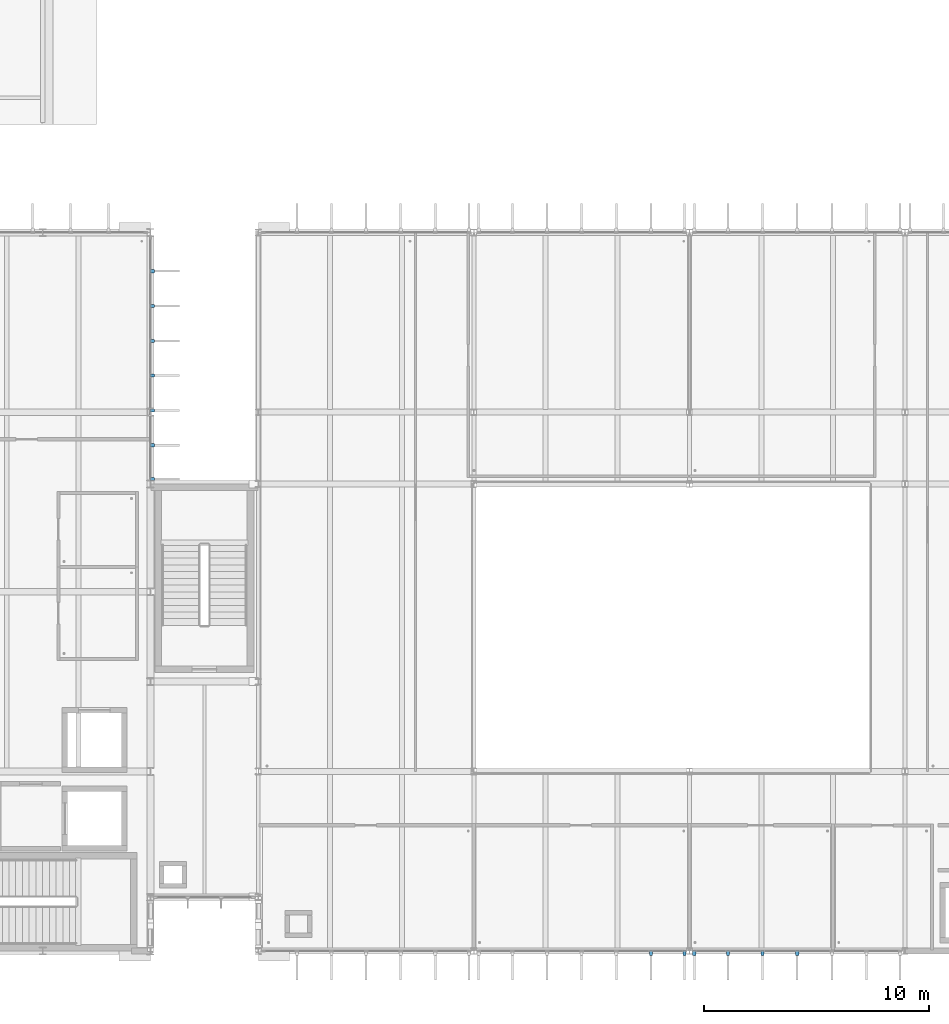
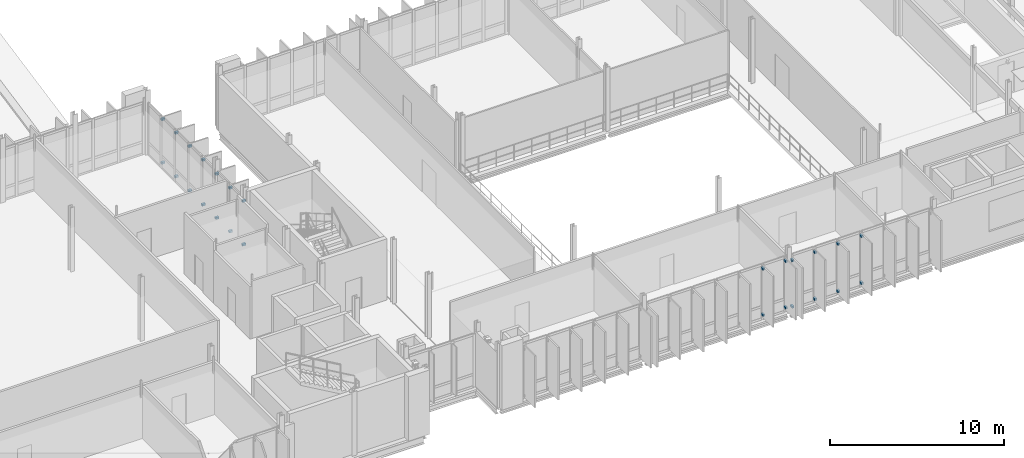
# One storey, part 51 of 59: 26 discrete accessories.
"""IFC4 building model written with IfcOpenShell, lengths in metres."""

import ifcopenshell
import ifcopenshell.guid

model = None  # the IFC model being written
_history = None  # IfcOwnerHistory: only IFC2X3 demands one
_inside = {}  # id of a spatial element -> (the spatial element, [elements in it])
_under = {}  # id of a project, library or spatial element -> (it, [spatial elements below it])
_declared = {}  # id of a project -> (the project, [libraries it declares])
_typed = {}  # id of a type object -> (the type object, [elements of that type])
_made_of = {}  # id of a material, layer set ... -> (it, [elements and type objects made of it])


def new_model(schema):
    """Start an empty IFC model of exactly this schema.

    Asked for "IFC4X3", IfcOpenShell would pick the latest addendum, in which some entities
    have other attributes; the version numbers below select the first issue.
    IFC2X3 requires an IfcOwnerHistory on every rooted entity: one is made here for all.
    """
    global model, _history
    if schema == "IFC4X3":
        model = ifcopenshell.file(schema_version=(4, 3, 0, 0))
    else:
        model = ifcopenshell.file(schema=schema)
    _inside.clear()
    _under.clear()
    _declared.clear()
    _typed.clear()
    _made_of.clear()
    _history = None
    if model.schema == "IFC2X3":
        org = make("IfcOrganization", Name="unknown")
        user = make(
            "IfcPersonAndOrganization",
            ThePerson=make("IfcPerson", FamilyName="unknown"),
            TheOrganization=org,
        )
        app = make(
            "IfcApplication",
            ApplicationDeveloper=org,
            Version="unknown",
            ApplicationFullName="unknown",
            ApplicationIdentifier="unknown",
        )
        _history = make(
            "IfcOwnerHistory",
            OwningUser=user,
            OwningApplication=app,
            ChangeAction="ADDED",
            CreationDate=0,
        )
    return model


def make(cls, **values):
    """One entity of the class cls with the attributes given. An attribute that is None is left unset."""
    return model.create_entity(
        cls, **{name: value for name, value in values.items() if value is not None}
    )


def rooted(cls, **values):
    """An entity with a GlobalId (a new one), such as an element, a storey or a relation."""
    return make(cls, GlobalId=ifcopenshell.guid.new(), OwnerHistory=_history, **values)


def si_unit(unit_type, name, prefix=None):
    """IfcSIUnit, for example si_unit("LENGTHUNIT", "METRE", prefix="MILLI")."""
    return make("IfcSIUnit", UnitType=unit_type, Prefix=prefix, Name=name)


def assignment(units):
    """IfcUnitAssignment: the units of a project."""
    return None if units is None else make("IfcUnitAssignment", Units=units)


def point(xyz):
    """IfcCartesianPoint."""
    return None if xyz is None else make("IfcCartesianPoint", Coordinates=xyz)


def direction(xyz):
    """IfcDirection."""
    return None if xyz is None else make("IfcDirection", DirectionRatios=xyz)


def frame(location, z_axis=None, x_axis=None):
    """IfcAxis2Placement3D, a coordinate frame: its origin and axes. An axis left out is left unset."""
    return make(
        "IfcAxis2Placement3D",
        Location=point(location),
        Axis=direction(z_axis),
        RefDirection=direction(x_axis),
    )


def frame_2d(location, x_axis=None):
    """IfcAxis2Placement2D, a coordinate frame in the plane: its origin and x axis."""
    return make(
        "IfcAxis2Placement2D", Location=point(location), RefDirection=direction(x_axis)
    )


def origin():
    """The frame at (0, 0, 0) with its axes left unset."""
    return frame((0.0, 0.0, 0.0))


def origin_2d():
    """The frame at (0, 0) in the plane with its x axis left unset."""
    return frame_2d((0.0, 0.0))


def place(relative_to, where):
    """IfcLocalPlacement: puts the frame where relative to a parent placement (None: the world)."""
    return make(
        "IfcLocalPlacement", PlacementRelTo=relative_to, RelativePlacement=where
    )


def context(
    kind, dimensions, precision=None, world=None, true_north=None, identifier=None
):
    """IfcGeometricRepresentationContext, for example the 3D "Model" context."""
    return make(
        "IfcGeometricRepresentationContext",
        ContextIdentifier=identifier,
        ContextType=kind,
        CoordinateSpaceDimension=dimensions,
        Precision=precision,
        WorldCoordinateSystem=world,
        TrueNorth=true_north,
    )


def subcontext(parent, identifier, kind, view, scale=None):
    """IfcGeometricRepresentationSubContext, for example "Body" below "Model"."""
    return make(
        "IfcGeometricRepresentationSubContext",
        ContextIdentifier=identifier,
        ContextType=kind,
        ParentContext=parent,
        TargetScale=scale,
        TargetView=view,
    )


def project(units=None, contexts=None):
    """IfcProject with its units and contexts."""
    return rooted(
        "IfcProject",
        Name="project",
        RepresentationContexts=contexts,
        UnitsInContext=assignment(units),
    )


def spatial(cls, under=None, at=None, **own):
    """A site, building, storey or space (cls), placed at a placement, below another one or the project."""
    s = rooted(cls, ObjectPlacement=at, **own)
    if under is not None:
        _under.setdefault(under.id(), (under, []))[1].append(s)
    return s


def profile(cls, at=None, kind="AREA", **sizes):
    """A parametric profile (cls). Its sizes go by their IFC names, for example OverallWidth=200.0."""
    return make(cls, ProfileType=kind, Position=at, **sizes)


def rectangle(**sizes):
    """IfcRectangleProfileDef."""
    return profile("IfcRectangleProfileDef", **sizes)


def extrude(swept, where, along, depth):
    """IfcExtrudedAreaSolid: the profile swept, set in the frame where, extruded along a direction by depth."""
    return make(
        "IfcExtrudedAreaSolid",
        SweptArea=swept,
        Position=where,
        ExtrudedDirection=direction(along),
        Depth=depth,
    )


def shape(context_of_items, identifier, shape_type, items):
    """IfcShapeRepresentation: the items that make up one representation, for example the "Body"."""
    return make(
        "IfcShapeRepresentation",
        ContextOfItems=context_of_items,
        RepresentationIdentifier=identifier,
        RepresentationType=shape_type,
        Items=items,
    )


def material(Name=None, Category=None):
    """IfcMaterial."""
    return make("IfcMaterial", Name=Name, Category=Category)


def made_of(thing, what):
    """Note that an element or type object is made of a material, layer set ...; save() writes the relation."""
    if what is not None:
        _made_of.setdefault(what.id(), (what, []))[1].append(thing)
    return thing


def type_object(cls, material=None, **own):
    """A type object (cls), such as IfcWallType, which elements share."""
    return made_of(rooted(cls, **own), material)


def element(
    cls,
    number,
    at=None,
    inside=None,
    cuts=None,
    type_object=None,
    material=None,
    context=None,
    identifier="Body",
    shape_type=None,
    held_by="IfcProductDefinitionShape",
    body=None,
    shapes=None,
    **own,
):
    """One element of the class cls, such as IfcWall. Its Tag is "e" and its number.

    at: its placement. inside: the storey or other place that contains it. cuts: it is an
    opening in that element (IfcRelVoidsElement). A single representation is given by context,
    identifier, shape_type and body (its items); several are given by shapes. held_by: the class
    of the entity that holds the representations. save() writes the other relations.
    """
    e = rooted(cls, Tag="e%d" % number, ObjectPlacement=at, **own)
    if body is not None:
        shapes = [shape(context, identifier, shape_type, body)]
    if shapes is not None:
        e.Representation = make(held_by, Representations=shapes)
    if inside is not None:
        _inside.setdefault(inside.id(), (inside, []))[1].append(e)
    if cuts is not None:
        rooted(
            "IfcRelVoidsElement", RelatingBuildingElement=cuts, RelatedOpeningElement=e
        )
    if type_object is not None:
        _typed.setdefault(type_object.id(), (type_object, []))[1].append(e)
    return made_of(e, material)


def aggregate(whole, parts):
    """IfcRelAggregates: a whole, such as a stair, and the parts it consists of."""
    return rooted("IfcRelAggregates", RelatingObject=whole, RelatedObjects=parts)


def save(model, path):
    """Write the relations noted so far, then the file.

    IfcRelAggregates (storeys below a building ...), IfcRelContainedInSpatialStructure (elements
    in a storey), IfcRelDefinesByType, IfcRelAssociatesMaterial and IfcRelDeclares: one each for
    every whole, place, type object, material and project.
    """
    for whole, parts in _under.values():
        aggregate(whole, parts)
    for where, things in _inside.values():
        rooted(
            "IfcRelContainedInSpatialStructure",
            RelatedElements=things,
            RelatingStructure=where,
        )
    for kind, things in _typed.values():
        rooted("IfcRelDefinesByType", RelatedObjects=things, RelatingType=kind)
    for what, things in _made_of.values():
        rooted("IfcRelAssociatesMaterial", RelatedObjects=things, RelatingMaterial=what)
    for by, libraries in _declared.values():
        rooted("IfcRelDeclares", RelatingContext=by, RelatedDefinitions=libraries)
    model.write(path)


model = new_model("IFC4")

# Units and contexts
model_context = context("Model", 3, precision=1e-05, world=origin(), true_north=direction((0.0, 1.0)))
body_context = subcontext(model_context, "Body", "Model", "MODEL_VIEW")
ifc_project = project(units=[si_unit("LENGTHUNIT", "METRE"), si_unit("AREAUNIT", "SQUARE_METRE"), si_unit("VOLUMEUNIT", "CUBIC_METRE"), si_unit("PLANEANGLEUNIT", "RADIAN"), si_unit("MASSUNIT", "GRAM", prefix="KILO")], contexts=[model_context])

# Site, building, storey
site_placement = place(None, origin())
site = spatial("IfcSite", under=ifc_project, at=site_placement, CompositionType="ELEMENT")
building_placement = place(site_placement, origin())
building = spatial("IfcBuilding", under=site, at=building_placement, Name="Dunescarp Central Library", CompositionType="ELEMENT")
storey_placement = place(building_placement, frame((0.0, 0.0, 18.60009765625)))
storey = spatial("IfcBuildingStorey", under=building, at=storey_placement, Name="L04", CompositionType="ELEMENT", Elevation=18.60009765625)

# Discrete accessories
ifc_material = material(Name="Stainless steel Grade 316L", Category="steel")
discrete_accessory_type = type_object("IfcDiscreteAccessoryType", Name="ARC-ACC-BRK", PredefinedType="BRACKET", material=ifc_material)
for number, where, z_axis, x_axis, name in (
    (1, (33.679931640625, 35.074951171875, 0.2900390625), (0.0, 0.0, 1.0), (1.0, 0.0, 0.0), "Fin bracket BRK-FIN-L04-0208-B"),
    (2, (33.679931640625, 35.074951171875, 3.3349609375), (0.0, 0.0, 1.0), (1.0, 0.0, 0.0), "Fin bracket BRK-FIN-L04-0208-T"),
    (3, (33.679931640625, 33.52490234375, 0.27392578125), (0.0, 0.0, 1.0), (1.0, 0.0, 0.0), "Fin bracket BRK-FIN-L04-0209-B"),
    (4, (33.679931640625, 33.52490234375, 3.3349609375), (0.0, 0.0, 1.0), (1.0, 0.0, 0.0), "Fin bracket BRK-FIN-L04-0209-T"),
    (5, (33.679931640625, 31.97509765625, 0.23291015625), (0.0, 0.0, 1.0), (1.0, 0.0, 0.0), "Fin bracket BRK-FIN-L04-0210-B"),
    (6, (33.679931640625, 31.97509765625, 3.3349609375), (0.0, 0.0, 1.0), (1.0, 0.0, 0.0), "Fin bracket BRK-FIN-L04-0210-T"),
    (7, (33.679931640625, 30.425048828125, 0.18994140625), (0.0, 0.0, 1.0), (1.0, 0.0, 0.0), "Fin bracket BRK-FIN-L04-0211-B"),
    (8, (33.679931640625, 30.425048828125, 3.32373046875), (0.0, 0.0, 1.0), (1.0, 0.0, 0.0), "Fin bracket BRK-FIN-L04-0211-T"),
    (9, (33.679931640625, 28.875, 0.18994140625), (0.0, 0.0, 1.0), (1.0, 0.0, 0.0), "Fin bracket BRK-FIN-L04-0212-B"),
    (10, (33.679931640625, 28.875, 3.27392578125), (0.0, 0.0, 1.0), (1.0, 0.0, 0.0), "Fin bracket BRK-FIN-L04-0212-T"),
    (11, (33.679931640625, 27.324951171875, 0.18994140625), (0.0, 0.0, 1.0), (1.0, 0.0, 0.0), "Fin bracket BRK-FIN-L04-0213-B"),
    (12, (33.679931640625, 27.324951171875, 3.24072265625), (0.0, 0.0, 1.0), (1.0, 0.0, 0.0), "Fin bracket BRK-FIN-L04-0213-T"),
    (13, (33.679931640625, 25.81494140625, 0.18994140625), (0.0, 0.0, 1.0), (1.0, 0.0, 0.0), "Fin bracket BRK-FIN-L04-0214-B"),
    (14, (33.679931640625, 25.81494140625, 3.23681640625), (0.0, 0.0, 1.0), (1.0, 0.0, 0.0), "Fin bracket BRK-FIN-L04-0214-T"),
    (15, (57.385009765625, 4.719970703125, 0.27685546875), (0.0, 0.0, 1.0), (0.0, -1.0, 0.0), "Fin bracket BRK-FIN-L04-0470-B"),
    (16, (57.385009765625, 4.719970703125, 3.52490234375), (0.0, 0.0, 1.0), (0.0, -1.0, 0.0), "Fin bracket BRK-FIN-L04-0470-T"),
    (17, (55.883056640625, 4.719970703125, 0.2900390625), (0.0, 0.0, 1.0), (0.0, -1.0, 0.0), "Fin bracket BRK-FIN-L04-0471-B"),
    (18, (55.883056640625, 4.719970703125, 3.52490234375), (0.0, 0.0, 1.0), (0.0, -1.0, 0.0), "Fin bracket BRK-FIN-L04-0471-T"),
    (19, (62.39990234375, 4.719970703125, 0.23291015625), (0.0, 0.0, 1.0), (0.0, -1.0, 0.0), "Fin bracket BRK-FIN-L04-0480-B"),
    (20, (62.39990234375, 4.719970703125, 3.52490234375), (0.0, 0.0, 1.0), (0.0, -1.0, 0.0), "Fin bracket BRK-FIN-L04-0480-T"),
    (21, (60.85791015625, 4.719970703125, 0.18994140625), (0.0, 0.0, 1.0), (0.0, -1.0, 0.0), "Fin bracket BRK-FIN-L04-0481-B"),
    (22, (60.85791015625, 4.719970703125, 3.51416015625), (0.0, 0.0, 1.0), (0.0, -1.0, 0.0), "Fin bracket BRK-FIN-L04-0481-T"),
    (23, (59.31689453125, 4.719970703125, 0.18994140625), (0.0, 0.0, 1.0), (0.0, -1.0, 0.0), "Fin bracket BRK-FIN-L04-0482-B"),
    (24, (59.31689453125, 4.719970703125, 3.4638671875), (0.0, 0.0, 1.0), (0.0, -1.0, 0.0), "Fin bracket BRK-FIN-L04-0482-T"),
    (25, (57.81494140625, 4.719970703125, 0.18994140625), (0.0, 0.0, 1.0), (0.0, -1.0, 0.0), "Fin bracket BRK-FIN-L04-0483-B"),
    (26, (57.81494140625, 4.719970703125, 3.43115234375), (0.0, 0.0, 1.0), (0.0, -1.0, 0.0), "Fin bracket BRK-FIN-L04-0483-T"),
):
    element("IfcDiscreteAccessory", number, at=place(storey_placement, frame(where, z_axis=z_axis, x_axis=x_axis)), inside=storey, type_object=discrete_accessory_type, Name=name, PredefinedType="BRACKET", context=body_context, shape_type="SweptSolid", body=[
        extrude(rectangle(XDim=0.219970703125, YDim=0.139892578125, at=origin_2d()), origin(), (0.0, 0.0, 1.0), 0.139892578125),
    ])

save(model, "model.ifc")
